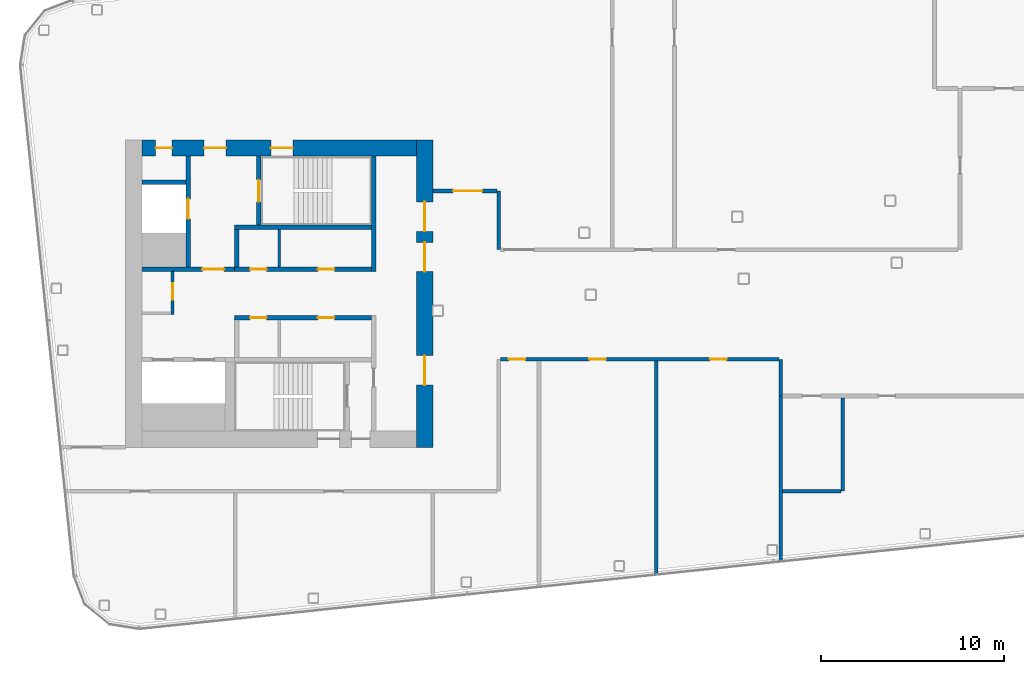
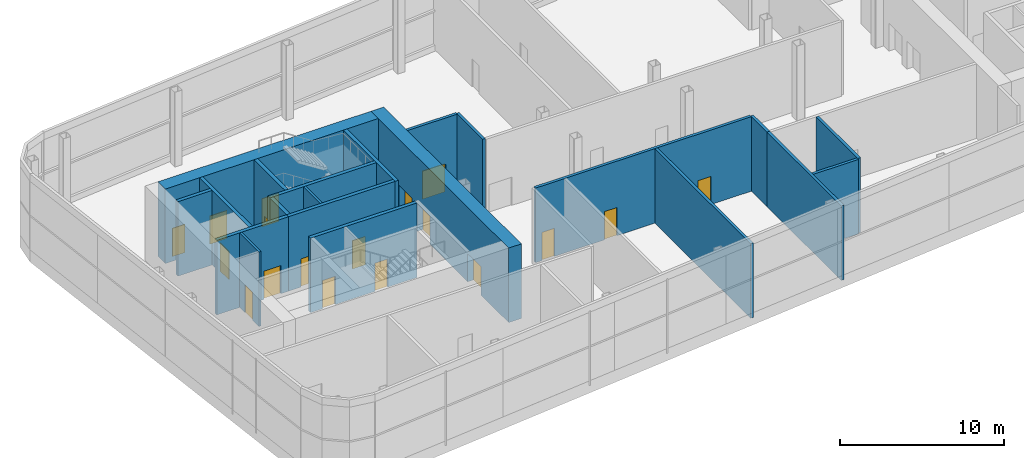
# One storey, part 15 of 35: 21 walls, 18 doors, 18 openings.
"""IFC4 building model written with IfcOpenShell, lengths in metres."""

from ifc_helpers import new_model, si_unit, direction, frame, frame_2d, origin, place, context, subcontext, project, spatial, rectangle, extrude, material, layer, layer_set, type_object, element, fill, save


model = new_model("IFC4")

# Units and contexts
model_context = context("Model", 3, precision=1e-05, world=origin(), true_north=direction((0.0, 1.0)))
body_context = subcontext(model_context, "Body", "Model", "MODEL_VIEW")
ifc_project = project(units=[si_unit("LENGTHUNIT", "METRE"), si_unit("AREAUNIT", "SQUARE_METRE"), si_unit("VOLUMEUNIT", "CUBIC_METRE"), si_unit("PLANEANGLEUNIT", "RADIAN"), si_unit("MASSUNIT", "GRAM", prefix="KILO")], contexts=[model_context])

# Site, building, storey
site_placement = place(None, origin())
site = spatial("IfcSite", under=ifc_project, at=site_placement, CompositionType="ELEMENT")
building_placement = place(site_placement, origin())
building = spatial("IfcBuilding", under=site, at=building_placement, Name="Hakoniwa Tower and Hamabe Station Hall", CompositionType="ELEMENT")
storey_placement = place(building_placement, frame((0.0, 0.0, 270.60009765625)))
storey = spatial("IfcBuildingStorey", under=building, at=storey_placement, Name="L76", CompositionType="ELEMENT", Elevation=270.60009765625)

# Wall, opening, door
ifc_material_1 = material(Name="Gypsum board partition")
ifc_layer_1 = layer(ifc_material_1, 0.14990234375)
ifc_layer_set_1 = layer_set([ifc_layer_1], Name="CORE PARTITION 150 EI 60")
wall_type_1 = type_object("IfcWallType", Name="CORE PARTITION 150 EI 60", PredefinedType="PARTITIONING", material=ifc_layer_set_1)
wall_1_placement = place(storey_placement, frame((-31.02490234375, -1.14990234375, 0.0), z_axis=(0.0, 0.0, 1.0), x_axis=(0.0, 1.0, 0.0)))
wall_1 = element("IfcWall", 1, at=wall_1_placement, inside=storey, type_object=wall_type_1, Name="Core partition PW0 west", PredefinedType="PARTITIONING", context=body_context, shape_type="SweptSolid", body=[
    extrude(rectangle(XDim=2.349853515625, YDim=0.14990234375, at=frame_2d((1.1748046875, 0.0))), origin(), (0.0, 0.0, 1.0), 5.5498046875),
])
opening_1_placement = place(wall_1_placement, frame((0.800048828125, 0.0, 0.0)))
opening_1 = element("IfcOpeningElement", 2, at=opening_1_placement, cuts=wall_1, Name="Opening CD-W-RM1-9", PredefinedType="OPENING", context=body_context, shape_type="SweptSolid", body=[
    extrude(rectangle(XDim=0.89990234375, YDim=2.10009765625, at=frame_2d((0.449951171875, 1.050048828125))), frame((0.0, 0.0849609375, 0.0), z_axis=(0.0, -1.0, 0.0), x_axis=(1.0, 0.0, 0.0)), (0.0, 0.0, 1.0), 0.169921875),
])
ifc_material_2 = material(Name="Steel fire door", Category="steel")
door_type_1 = type_object("IfcDoorType", Name="CORE DOOR 900 FD30", OperationType="NOTDEFINED", PredefinedType="DOOR", material=ifc_material_2)
door_1_placement = place(opening_1_placement, origin())
door_1 = element("IfcDoor", 3, at=door_1_placement, inside=storey, type_object=door_type_1, Name="Store room door", OperationType="SINGLE_SWING_RIGHT", OverallHeight=2.10009765625, OverallWidth=0.89990234375, PredefinedType="DOOR", context=body_context, shape_type="SweptSolid", body=[
    extrude(rectangle(XDim=0.89990234375, YDim=2.10009765625, at=frame_2d((0.449951171875, 1.050048828125))), frame((0.0, 0.02490234375, 0.0), z_axis=(0.0, -1.0, 0.0), x_axis=(1.0, 0.0, 0.0)), (0.0, 0.0, 1.0), 0.050048828125),
])
fill(opening_1, door_1)

# Wall
wall_2_placement = place(storey_placement, frame((-25.199951171875, 1.449951171875, 0.0), z_axis=(0.0, 0.0, 1.0), x_axis=(0.0, 1.0, 0.0)))
element("IfcWall", 4, at=wall_2_placement, inside=storey, type_object=wall_type_1, Name="Core partition PFLR0 west", PredefinedType="PARTITIONING", context=body_context, shape_type="SweptSolid", body=[
    extrude(rectangle(XDim=2.050048828125, YDim=0.14990234375, at=frame_2d((1.02490234375, 0.0))), origin(), (0.0, 0.0, 1.0), 5.5498046875),
])

# Wall, openings, doors
ifc_material_3 = material(Name="Concrete C60", Category="concrete")
ifc_layer_2 = layer(ifc_material_3, 0.89990234375)
ifc_layer_set_2 = layer_set([ifc_layer_2], Name="CORE WALL 900 C60")
wall_type_2 = type_object("IfcWallType", Name="CORE WALL 900 C60", PredefinedType="SHEAR", material=ifc_layer_set_2)
wall_3_placement = place(storey_placement, frame((-17.25, -8.39990234375, 0.0), z_axis=(0.0, 0.0, 1.0), x_axis=(0.0, 1.0, 0.0)))
wall_3 = element("IfcWall", 5, at=wall_3_placement, inside=storey, type_object=wall_type_2, Name="Core wall INNER west", PredefinedType="SHEAR", context=body_context, shape_type="SweptSolid", body=[
    extrude(rectangle(XDim=16.7998046875, YDim=0.89990234375, at=frame_2d((8.39990234375, 0.0))), origin(), (0.0, 0.0, 1.0), 5.5498046875),
])
opening_2_placement = place(wall_3_placement, frame((3.39990234375, 0.0, 0.0)))
opening_2 = element("IfcOpeningElement", 6, at=opening_2_placement, cuts=wall_3, Name="Opening CD-W-IN1-16", PredefinedType="OPENING", context=body_context, shape_type="SweptSolid", body=[
    extrude(rectangle(XDim=1.60009765625, YDim=2.10009765625, at=frame_2d((0.800048828125, 1.050048828125))), frame((0.0, 0.4599609375, 0.0), z_axis=(0.0, -1.0, 0.0), x_axis=(1.0, 0.0, 0.0)), (0.0, 0.0, 1.0), 0.919921875),
])
opening_3_placement = place(wall_3_placement, frame((9.60009765625, 0.0, 0.0)))
opening_3 = element("IfcOpeningElement", 7, at=opening_3_placement, cuts=wall_3, Name="Opening CD-W-IN2-16", PredefinedType="OPENING", context=body_context, shape_type="SweptSolid", body=[
    extrude(rectangle(XDim=1.60009765625, YDim=2.10009765625, at=frame_2d((0.800048828125, 1.050048828125))), frame((0.0, 0.4599609375, 0.0), z_axis=(0.0, -1.0, 0.0), x_axis=(1.0, 0.0, 0.0)), (0.0, 0.0, 1.0), 0.919921875),
])
opening_4_placement = place(wall_3_placement, frame((11.800048828125, 0.0, 0.0)))
opening_4 = element("IfcOpeningElement", 8, at=opening_4_placement, cuts=wall_3, Name="Opening CD-W-IN3-16", PredefinedType="OPENING", context=body_context, shape_type="SweptSolid", body=[
    extrude(rectangle(XDim=1.60009765625, YDim=2.10009765625, at=frame_2d((0.800048828125, 1.050048828125))), frame((0.0, 0.4599609375, 0.0), z_axis=(0.0, -1.0, 0.0), x_axis=(1.0, 0.0, 0.0)), (0.0, 0.0, 1.0), 0.919921875),
])
ifc_material_4 = material(Name="Steel fire door", Category="steel")
door_type_2 = type_object("IfcDoorType", Name="CORE DOOR 1600 FD60", OperationType="DOUBLE_DOOR_SINGLE_SWING", PredefinedType="DOOR", material=ifc_material_4)
door_2_placement = place(opening_2_placement, origin())
door_2 = element("IfcDoor", 9, at=door_2_placement, inside=storey, type_object=door_type_2, Name="Lift lobby door", OperationType="DOUBLE_DOOR_SINGLE_SWING", OverallHeight=2.10009765625, OverallWidth=1.60009765625, PredefinedType="DOOR", context=body_context, shape_type="SweptSolid", body=[
    extrude(rectangle(XDim=1.60009765625, YDim=2.10009765625, at=frame_2d((0.800048828125, 1.050048828125))), frame((0.0, 0.02490234375, 0.0), z_axis=(0.0, -1.0, 0.0), x_axis=(1.0, 0.0, 0.0)), (0.0, 0.0, 1.0), 0.050048828125),
])
fill(opening_2, door_2)
door_3_placement = place(opening_3_placement, origin())
door_3 = element("IfcDoor", 10, at=door_3_placement, inside=storey, type_object=door_type_2, Name="Lift lobby door", OperationType="DOUBLE_DOOR_SINGLE_SWING", OverallHeight=2.10009765625, OverallWidth=1.60009765625, PredefinedType="DOOR", context=body_context, shape_type="SweptSolid", body=[
    extrude(rectangle(XDim=1.60009765625, YDim=2.10009765625, at=frame_2d((0.800048828125, 1.050048828125))), frame((0.0, 0.02490234375, 0.0), z_axis=(0.0, -1.0, 0.0), x_axis=(1.0, 0.0, 0.0)), (0.0, 0.0, 1.0), 0.050048828125),
])
fill(opening_3, door_3)
door_4_placement = place(opening_4_placement, origin())
door_4 = element("IfcDoor", 11, at=door_4_placement, inside=storey, type_object=door_type_2, Name="Lift lobby door", OperationType="DOUBLE_DOOR_SINGLE_SWING", OverallHeight=2.10009765625, OverallWidth=1.60009765625, PredefinedType="DOOR", context=body_context, shape_type="SweptSolid", body=[
    extrude(rectangle(XDim=1.60009765625, YDim=2.10009765625, at=frame_2d((0.800048828125, 1.050048828125))), frame((0.0, 0.02490234375, 0.0), z_axis=(0.0, -1.0, 0.0), x_axis=(1.0, 0.0, 0.0)), (0.0, 0.0, 1.0), 0.050048828125),
])
fill(opening_4, door_4)

wall_4_placement = place(storey_placement, frame((-32.699951171875, 7.949951171875, 0.0), z_axis=(0.0, 0.0, 1.0), x_axis=(1.0, 0.0, 0.0)))
wall_4 = element("IfcWall", 12, at=wall_4_placement, inside=storey, type_object=wall_type_2, Name="Core wall NORTH west", PredefinedType="SHEAR", context=body_context, shape_type="SweptSolid", body=[
    extrude(rectangle(XDim=15.0, YDim=0.89990234375, at=frame_2d((7.5, 0.0))), origin(), (0.0, 0.0, 1.0), 5.5498046875),
])
opening_5_placement = place(wall_4_placement, frame((3.39990234375, 0.0, 0.0)))
opening_5 = element("IfcOpeningElement", 13, at=opening_5_placement, cuts=wall_4, Name="Opening CD-W-FN1-12", PredefinedType="OPENING", context=body_context, shape_type="SweptSolid", body=[
    extrude(rectangle(XDim=1.199951171875, YDim=2.10009765625, at=frame_2d((0.60009765625, 1.050048828125))), frame((0.0, 0.4599609375, 0.0), z_axis=(0.0, -1.0, 0.0), x_axis=(1.0, 0.0, 0.0)), (0.0, 0.0, 1.0), 0.919921875),
])
opening_6_placement = place(wall_4_placement, frame((0.75, 0.0, 0.0)))
opening_6 = element("IfcOpeningElement", 14, at=opening_6_placement, cuts=wall_4, Name="Opening CD-W-FN2-9", PredefinedType="OPENING", context=body_context, shape_type="SweptSolid", body=[
    extrude(rectangle(XDim=0.89990234375, YDim=2.10009765625, at=frame_2d((0.449951171875, 1.050048828125))), frame((0.0, 0.4599609375, 0.0), z_axis=(0.0, -1.0, 0.0), x_axis=(1.0, 0.0, 0.0)), (0.0, 0.0, 1.0), 0.919921875),
])
opening_7_placement = place(wall_4_placement, frame((7.050048828125, 0.0, 0.0)))
opening_7 = element("IfcOpeningElement", 15, at=opening_7_placement, cuts=wall_4, Name="Opening CD-W-FN4-12", PredefinedType="OPENING", context=body_context, shape_type="SweptSolid", body=[
    extrude(rectangle(XDim=1.199951171875, YDim=2.10009765625, at=frame_2d((0.60009765625, 1.050048828125))), frame((0.0, 0.4599609375, 0.0), z_axis=(0.0, -1.0, 0.0), x_axis=(1.0, 0.0, 0.0)), (0.0, 0.0, 1.0), 0.919921875),
])
ifc_material_5 = material(Name="Steel fire door", Category="steel")
door_type_3 = type_object("IfcDoorType", Name="CORE DOOR 1200 FD60", OperationType="DOUBLE_DOOR_SINGLE_SWING", PredefinedType="DOOR", material=ifc_material_5)
door_5_placement = place(opening_5_placement, origin())
door_5 = element("IfcDoor", 16, at=door_5_placement, inside=storey, type_object=door_type_3, Name="Stair vestibule door to the fire-fighting lobby", OperationType="DOUBLE_DOOR_SINGLE_SWING", OverallHeight=2.10009765625, OverallWidth=1.199951171875, PredefinedType="DOOR", context=body_context, shape_type="SweptSolid", body=[
    extrude(rectangle(XDim=1.199951171875, YDim=2.10009765625, at=frame_2d((0.60009765625, 1.050048828125))), frame((0.0, 0.02490234375, 0.0), z_axis=(0.0, -1.0, 0.0), x_axis=(1.0, 0.0, 0.0)), (0.0, 0.0, 1.0), 0.050048828125),
])
fill(opening_5, door_5)
door_6_placement = place(opening_7_placement, origin())
door_6 = element("IfcDoor", 17, at=door_6_placement, inside=storey, type_object=door_type_3, Name="Stair vestibule door to stair A", OperationType="DOUBLE_DOOR_SINGLE_SWING", OverallHeight=2.10009765625, OverallWidth=1.199951171875, PredefinedType="DOOR", context=body_context, shape_type="SweptSolid", body=[
    extrude(rectangle(XDim=1.199951171875, YDim=2.10009765625, at=frame_2d((0.60009765625, 1.050048828125))), frame((0.0, 0.02490234375, 0.0), z_axis=(0.0, -1.0, 0.0), x_axis=(1.0, 0.0, 0.0)), (0.0, 0.0, 1.0), 0.050048828125),
])
fill(opening_7, door_6)
door_7_placement = place(opening_6_placement, origin())
door_7 = element("IfcDoor", 18, at=door_7_placement, inside=storey, type_object=door_type_1, Name="Riser access door", OperationType="SINGLE_SWING_LEFT", OverallHeight=2.10009765625, OverallWidth=0.89990234375, PredefinedType="DOOR", context=body_context, shape_type="SweptSolid", body=[
    extrude(rectangle(XDim=0.89990234375, YDim=2.10009765625, at=frame_2d((0.449951171875, 1.050048828125))), frame((0.0, 0.02490234375, 0.0), z_axis=(0.0, -1.0, 0.0), x_axis=(1.0, 0.0, 0.0)), (0.0, 0.0, 1.0), 0.050048828125),
])
fill(opening_6, door_7)

# Wall
ifc_material_6 = material(Name="Concrete C60", Category="concrete")
ifc_layer_3 = layer(ifc_material_6, 0.25)
ifc_layer_set_3 = layer_set([ifc_layer_3], Name="CORE WEB WALL 250 C60")
wall_type_3 = type_object("IfcWallType", Name="CORE WEB WALL 250 C60", PredefinedType="SHEAR", material=ifc_layer_set_3)
wall_5_placement = place(storey_placement, frame((-20.02490234375, 1.199951171875, 0.0), z_axis=(0.0, 0.0, 1.0), x_axis=(0.0, 1.0, 0.0)))
element("IfcWall", 19, at=wall_5_placement, inside=storey, type_object=wall_type_3, Name="Core wall W1N west", PredefinedType="SHEAR", context=body_context, shape_type="SweptSolid", body=[
    extrude(rectangle(XDim=6.300048828125, YDim=0.25, at=frame_2d((3.14990234375, 0.0))), origin(), (0.0, 0.0, 1.0), 5.5498046875),
])

# Wall, openings, doors
wall_6_placement = place(storey_placement, frame((-27.64990234375, 1.324951171875, 0.0), z_axis=(0.0, 0.0, 1.0), x_axis=(1.0, 0.0, 0.0)))
wall_6 = element("IfcWall", 20, at=wall_6_placement, inside=storey, type_object=wall_type_3, Name="Core wall NF west", PredefinedType="SHEAR", context=body_context, shape_type="SweptSolid", body=[
    extrude(rectangle(XDim=7.5, YDim=0.25, at=frame_2d((3.75, 0.0))), origin(), (0.0, 0.0, 1.0), 5.5498046875),
])
opening_8_placement = place(wall_6_placement, frame((4.5625, 0.0, 0.0)))
opening_8 = element("IfcOpeningElement", 21, at=opening_8_placement, cuts=wall_6, Name="Opening CD-W-FRLR0-9", PredefinedType="OPENING", context=body_context, shape_type="SweptSolid", body=[
    extrude(rectangle(XDim=0.89990234375, YDim=2.10009765625, at=frame_2d((0.449951171875, 1.050048828125))), frame((0.0, 0.135009765625, 0.0), z_axis=(0.0, -1.0, 0.0), x_axis=(1.0, 0.0, 0.0)), (0.0, 0.0, 1.0), 0.27001953125),
])
opening_9_placement = place(wall_6_placement, frame((0.862548828125, 0.0, 0.0)))
opening_9 = element("IfcOpeningElement", 22, at=opening_9_placement, cuts=wall_6, Name="Opening CD-W-FRLR1-9", PredefinedType="OPENING", context=body_context, shape_type="SweptSolid", body=[
    extrude(rectangle(XDim=0.89990234375, YDim=2.10009765625, at=frame_2d((0.449951171875, 1.050048828125))), frame((0.0, 0.135009765625, 0.0), z_axis=(0.0, -1.0, 0.0), x_axis=(1.0, 0.0, 0.0)), (0.0, 0.0, 1.0), 0.27001953125),
])
door_8_placement = place(opening_8_placement, origin())
door_8 = element("IfcDoor", 23, at=door_8_placement, inside=storey, type_object=door_type_1, Name="Store room door", OperationType="SINGLE_SWING_RIGHT", OverallHeight=2.10009765625, OverallWidth=0.89990234375, PredefinedType="DOOR", context=body_context, shape_type="SweptSolid", body=[
    extrude(rectangle(XDim=0.89990234375, YDim=2.10009765625, at=frame_2d((0.449951171875, 1.050048828125))), frame((0.0, 0.02490234375, 0.0), z_axis=(0.0, -1.0, 0.0), x_axis=(1.0, 0.0, 0.0)), (0.0, 0.0, 1.0), 0.050048828125),
])
fill(opening_8, door_8)
door_9_placement = place(opening_9_placement, origin())
door_9 = element("IfcDoor", 24, at=door_9_placement, inside=storey, type_object=door_type_1, Name="Store room door", OperationType="SINGLE_SWING_LEFT", OverallHeight=2.10009765625, OverallWidth=0.89990234375, PredefinedType="DOOR", context=body_context, shape_type="SweptSolid", body=[
    extrude(rectangle(XDim=0.89990234375, YDim=2.10009765625, at=frame_2d((0.449951171875, 1.050048828125))), frame((0.0, 0.02490234375, 0.0), z_axis=(0.0, -1.0, 0.0), x_axis=(1.0, 0.0, 0.0)), (0.0, 0.0, 1.0), 0.050048828125),
])
fill(opening_9, door_9)

# Walls
wall_7_placement = place(storey_placement, frame((-27.52490234375, 1.449951171875, 0.0), z_axis=(0.0, 0.0, 1.0), x_axis=(0.0, 1.0, 0.0)))
element("IfcWall", 25, at=wall_7_placement, inside=storey, type_object=wall_type_3, Name="Core wall NE west", PredefinedType="SHEAR", context=body_context, shape_type="SweptSolid", body=[
    extrude(rectangle(XDim=2.050048828125, YDim=0.25, at=frame_2d((1.02490234375, 0.0))), origin(), (0.0, 0.0, 1.0), 5.5498046875),
])
wall_8_placement = place(storey_placement, frame((-27.64990234375, 3.625, 0.0), z_axis=(0.0, 0.0, 1.0), x_axis=(1.0, 0.0, 0.0)))
element("IfcWall", 26, at=wall_8_placement, inside=storey, type_object=wall_type_3, Name="Core wall NR west", PredefinedType="SHEAR", context=body_context, shape_type="SweptSolid", body=[
    extrude(rectangle(XDim=7.5, YDim=0.25, at=frame_2d((3.75, 0.0))), origin(), (0.0, 0.0, 1.0), 5.5498046875),
])

# Wall, opening, door
wall_9_placement = place(storey_placement, frame((-26.324951171875, 3.75, 0.0), z_axis=(0.0, 0.0, 1.0), x_axis=(0.0, 1.0, 0.0)))
wall_9 = element("IfcWall", 27, at=wall_9_placement, inside=storey, type_object=wall_type_3, Name="Core wall NSE west", PredefinedType="SHEAR", context=body_context, shape_type="SweptSolid", body=[
    extrude(rectangle(XDim=3.75, YDim=0.25, at=frame_2d((1.875, 0.0))), origin(), (0.0, 0.0, 1.0), 5.5498046875),
])
opening_10_placement = place(wall_9_placement, frame((1.25, 0.0, 0.0)))
opening_10 = element("IfcOpeningElement", 28, at=opening_10_placement, cuts=wall_9, Name="Opening CD-W-SN-12", PredefinedType="OPENING", context=body_context, shape_type="SweptSolid", body=[
    extrude(rectangle(XDim=1.199951171875, YDim=2.10009765625, at=frame_2d((0.60009765625, 1.050048828125))), frame((0.0, 0.135009765625, 0.0), z_axis=(0.0, -1.0, 0.0), x_axis=(1.0, 0.0, 0.0)), (0.0, 0.0, 1.0), 0.27001953125),
])
door_10_placement = place(opening_10_placement, origin())
door_10 = element("IfcDoor", 29, at=door_10_placement, inside=storey, type_object=door_type_3, Name="Escape stair door", OperationType="DOUBLE_DOOR_SINGLE_SWING", OverallHeight=2.10009765625, OverallWidth=1.199951171875, PredefinedType="DOOR", context=body_context, shape_type="SweptSolid", body=[
    extrude(rectangle(XDim=1.199951171875, YDim=2.10009765625, at=frame_2d((0.60009765625, 1.050048828125))), frame((0.0, 0.02490234375, 0.0), z_axis=(0.0, -1.0, 0.0), x_axis=(1.0, 0.0, 0.0)), (0.0, 0.0, 1.0), 0.050048828125),
])
fill(opening_10, door_10)

wall_10_placement = place(storey_placement, frame((-32.699951171875, 1.324951171875, 0.0), z_axis=(0.0, 0.0, 1.0), x_axis=(1.0, 0.0, 0.0)))
wall_10 = element("IfcWall", 30, at=wall_10_placement, inside=storey, type_object=wall_type_3, Name="Core wall ELN west", PredefinedType="SHEAR", context=body_context, shape_type="SweptSolid", body=[
    extrude(rectangle(XDim=5.050048828125, YDim=0.25, at=frame_2d((2.52490234375, 0.0))), origin(), (0.0, 0.0, 1.0), 5.5498046875),
])
opening_11_placement = place(wall_10_placement, frame((3.300048828125, 0.0, 0.0)))
opening_11 = element("IfcOpeningElement", 31, at=opening_11_placement, cuts=wall_10, Name="Opening CD-W-FL-12", PredefinedType="OPENING", context=body_context, shape_type="SweptSolid", body=[
    extrude(rectangle(XDim=1.199951171875, YDim=2.10009765625, at=frame_2d((0.60009765625, 1.050048828125))), frame((0.0, 0.135009765625, 0.0), z_axis=(0.0, -1.0, 0.0), x_axis=(1.0, 0.0, 0.0)), (0.0, 0.0, 1.0), 0.27001953125),
])
door_11_placement = place(opening_11_placement, origin())
door_11 = element("IfcDoor", 32, at=door_11_placement, inside=storey, type_object=door_type_3, Name="Stair vestibule door to the fire-fighting lobby", OperationType="DOUBLE_DOOR_SINGLE_SWING", OverallHeight=2.10009765625, OverallWidth=1.199951171875, PredefinedType="DOOR", context=body_context, shape_type="SweptSolid", body=[
    extrude(rectangle(XDim=1.199951171875, YDim=2.10009765625, at=frame_2d((0.60009765625, 1.050048828125))), frame((0.0, 0.02490234375, 0.0), z_axis=(0.0, -1.0, 0.0), x_axis=(1.0, 0.0, 0.0)), (0.0, 0.0, 1.0), 0.050048828125),
])
fill(opening_11, door_11)

wall_11_placement = place(storey_placement, frame((-30.175048828125, 1.449951171875, 0.0), z_axis=(0.0, 0.0, 1.0), x_axis=(0.0, 1.0, 0.0)))
wall_11 = element("IfcWall", 33, at=wall_11_placement, inside=storey, type_object=wall_type_3, Name="Core wall FFF west", PredefinedType="SHEAR", context=body_context, shape_type="SweptSolid", body=[
    extrude(rectangle(XDim=6.050048828125, YDim=0.25, at=frame_2d((3.02490234375, 0.0))), origin(), (0.0, 0.0, 1.0), 5.5498046875),
])
opening_12_placement = place(wall_11_placement, frame((2.625, 0.0, 0.0)))
opening_12 = element("IfcOpeningElement", 34, at=opening_12_placement, cuts=wall_11, Name="Opening LD-FF1", PredefinedType="OPENING", context=body_context, shape_type="SweptSolid", body=[
    extrude(rectangle(XDim=1.10009765625, YDim=2.10009765625, at=frame_2d((0.550048828125, 1.050048828125))), frame((0.0, 0.135009765625, 0.0), z_axis=(0.0, -1.0, 0.0), x_axis=(1.0, 0.0, 0.0)), (0.0, 0.0, 1.0), 0.27001953125),
])
ifc_material_7 = material(Name="Stainless steel SUS304", Category="steel")
door_type_4 = type_object("IfcDoorType", Name="LIFT LANDING DOOR 1100 FD60", OperationType="DOUBLE_DOOR_SLIDING", PredefinedType="DOOR", material=ifc_material_7)
door_12_placement = place(opening_12_placement, origin())
door_12 = element("IfcDoor", 35, at=door_12_placement, inside=storey, type_object=door_type_4, Name="Lift landing door FF1 L76", OperationType="DOUBLE_DOOR_SLIDING", OverallHeight=2.10009765625, OverallWidth=1.10009765625, PredefinedType="DOOR", context=body_context, shape_type="SweptSolid", body=[
    extrude(rectangle(XDim=1.10009765625, YDim=2.10009765625, at=frame_2d((0.550048828125, 1.050048828125))), frame((0.0, 0.02490234375, 0.0), z_axis=(0.0, -1.0, 0.0), x_axis=(1.0, 0.0, 0.0)), (0.0, 0.0, 1.0), 0.050048828125),
])
fill(opening_12, door_12)

# Wall
wall_12_placement = place(storey_placement, frame((-32.699951171875, 6.074951171875, 0.0), z_axis=(0.0, 0.0, 1.0), x_axis=(1.0, 0.0, 0.0)))
element("IfcWall", 36, at=wall_12_placement, inside=storey, type_object=wall_type_3, Name="Core wall C2 west", PredefinedType="SHEAR", context=body_context, shape_type="SweptSolid", body=[
    extrude(rectangle(XDim=2.39990234375, YDim=0.25, at=frame_2d((1.199951171875, 0.0))), origin(), (0.0, 0.0, 1.0), 5.5498046875),
])

# Wall, openings, doors
wall_13_placement = place(storey_placement, frame((-27.64990234375, -1.324951171875, 0.0), z_axis=(0.0, 0.0, 1.0), x_axis=(1.0, 0.0, 0.0)))
wall_13 = element("IfcWall", 37, at=wall_13_placement, inside=storey, type_object=wall_type_3, Name="Core wall SF west", PredefinedType="SHEAR", context=body_context, shape_type="SweptSolid", body=[
    extrude(rectangle(XDim=7.5, YDim=0.25, at=frame_2d((3.75, 0.0))), origin(), (0.0, 0.0, 1.0), 5.5498046875),
])
opening_13_placement = place(wall_13_placement, frame((4.5625, 0.0, 0.0)))
opening_13 = element("IfcOpeningElement", 38, at=opening_13_placement, cuts=wall_13, Name="Opening CD-W-FRHR2-9", PredefinedType="OPENING", context=body_context, shape_type="SweptSolid", body=[
    extrude(rectangle(XDim=0.89990234375, YDim=2.10009765625, at=frame_2d((0.449951171875, 1.050048828125))), frame((0.0, 0.135009765625, 0.0), z_axis=(0.0, -1.0, 0.0), x_axis=(1.0, 0.0, 0.0)), (0.0, 0.0, 1.0), 0.27001953125),
])
opening_14_placement = place(wall_13_placement, frame((0.862548828125, 0.0, 0.0)))
opening_14 = element("IfcOpeningElement", 39, at=opening_14_placement, cuts=wall_13, Name="Opening CD-W-FRHR3-9", PredefinedType="OPENING", context=body_context, shape_type="SweptSolid", body=[
    extrude(rectangle(XDim=0.89990234375, YDim=2.10009765625, at=frame_2d((0.449951171875, 1.050048828125))), frame((0.0, 0.135009765625, 0.0), z_axis=(0.0, -1.0, 0.0), x_axis=(1.0, 0.0, 0.0)), (0.0, 0.0, 1.0), 0.27001953125),
])
door_13_placement = place(opening_13_placement, origin())
door_13 = element("IfcDoor", 40, at=door_13_placement, inside=storey, type_object=door_type_1, Name="Store room door", OperationType="SINGLE_SWING_RIGHT", OverallHeight=2.10009765625, OverallWidth=0.89990234375, PredefinedType="DOOR", context=body_context, shape_type="SweptSolid", body=[
    extrude(rectangle(XDim=0.89990234375, YDim=2.10009765625, at=frame_2d((0.449951171875, 1.050048828125))), frame((0.0, 0.02490234375, 0.0), z_axis=(0.0, -1.0, 0.0), x_axis=(1.0, 0.0, 0.0)), (0.0, 0.0, 1.0), 0.050048828125),
])
fill(opening_13, door_13)
door_14_placement = place(opening_14_placement, origin())
door_14 = element("IfcDoor", 41, at=door_14_placement, inside=storey, type_object=door_type_1, Name="Store room door", OperationType="SINGLE_SWING_RIGHT", OverallHeight=2.10009765625, OverallWidth=0.89990234375, PredefinedType="DOOR", context=body_context, shape_type="SweptSolid", body=[
    extrude(rectangle(XDim=0.89990234375, YDim=2.10009765625, at=frame_2d((0.449951171875, 1.050048828125))), frame((0.0, 0.02490234375, 0.0), z_axis=(0.0, -1.0, 0.0), x_axis=(1.0, 0.0, 0.0)), (0.0, 0.0, 1.0), 0.050048828125),
])
fill(opening_14, door_14)

ifc_material_8 = material(Name="Fire-rated gypsum board partition", Category="gypsum")
ifc_layer_4 = layer(ifc_material_8, 0.199951171875)
ifc_layer_set_4 = layer_set([ifc_layer_4], Name="Corridor Wall 200")
wall_type_4 = type_object("IfcWallType", Name="Corridor Wall 200", PredefinedType="PARTITIONING", material=ifc_layer_set_4)
wall_14_placement = place(storey_placement, frame((-13.10009765625, -3.60009765625, 0.0), z_axis=(0.0, 0.0, 1.0), x_axis=(1.0, 0.0, 0.0)))
wall_14 = element("IfcWall", 42, at=wall_14_placement, inside=storey, type_object=wall_type_4, Name="GW-L76-005", PredefinedType="PARTITIONING", context=body_context, shape_type="SweptSolid", body=[
    extrude(rectangle(XDim=15.2001953125, YDim=0.199951171875, at=frame_2d((7.60009765625, 0.0))), origin(), (0.0, 0.0, 1.0), 5.5498046875),
])
opening_15_placement = place(wall_14_placement, frame((0.449951171875, 0.0, 0.0)))
opening_15 = element("IfcOpeningElement", 43, at=opening_15_placement, cuts=wall_14, Name="Opening GD-SL76-06", PredefinedType="OPENING", context=body_context, shape_type="SweptSolid", body=[
    extrude(rectangle(XDim=0.89990234375, YDim=2.10009765625, at=frame_2d((0.449951171875, 1.050048828125))), frame((0.0, 0.10986328125, 0.0), z_axis=(0.0, -1.0, 0.0), x_axis=(1.0, 0.0, 0.0)), (0.0, 0.0, 1.0), 0.219970703125),
])
opening_16_placement = place(wall_14_placement, frame((4.85009765625, 0.0, 0.0)))
opening_16 = element("IfcOpeningElement", 44, at=opening_16_placement, cuts=wall_14, Name="Opening GD-SL76-07", PredefinedType="OPENING", context=body_context, shape_type="SweptSolid", body=[
    extrude(rectangle(XDim=0.89990234375, YDim=2.10009765625, at=frame_2d((0.449951171875, 1.050048828125))), frame((0.0, 0.10986328125, 0.0), z_axis=(0.0, -1.0, 0.0), x_axis=(1.0, 0.0, 0.0)), (0.0, 0.0, 1.0), 0.219970703125),
])
opening_17_placement = place(wall_14_placement, frame((11.449951171875, 0.0, 0.0)))
opening_17 = element("IfcOpeningElement", 45, at=opening_17_placement, cuts=wall_14, Name="Opening GD-SL76-08", PredefinedType="OPENING", context=body_context, shape_type="SweptSolid", body=[
    extrude(rectangle(XDim=0.89990234375, YDim=2.10009765625, at=frame_2d((0.449951171875, 1.050048828125))), frame((0.0, 0.10986328125, 0.0), z_axis=(0.0, -1.0, 0.0), x_axis=(1.0, 0.0, 0.0)), (0.0, 0.0, 1.0), 0.219970703125),
])
ifc_material_9 = material(Name="Timber door leaf", Category="wood")
door_type_5 = type_object("IfcDoorType", Name="Service Door 900", OperationType="SINGLE_SWING_LEFT", PredefinedType="DOOR", material=ifc_material_9)
door_15_placement = place(opening_15_placement, origin())
door_15 = element("IfcDoor", 46, at=door_15_placement, inside=storey, type_object=door_type_5, Name="Door GD-SL76-06", OperationType="SINGLE_SWING_LEFT", OverallHeight=2.10009765625, OverallWidth=0.89990234375, PredefinedType="DOOR", context=body_context, shape_type="SweptSolid", body=[
    extrude(rectangle(XDim=0.89990234375, YDim=2.10009765625, at=frame_2d((0.449951171875, 1.050048828125))), frame((0.0, 0.02490234375, 0.0), z_axis=(0.0, -1.0, 0.0), x_axis=(1.0, 0.0, 0.0)), (0.0, 0.0, 1.0), 0.050048828125),
])
fill(opening_15, door_15)
door_16_placement = place(opening_16_placement, origin())
door_16 = element("IfcDoor", 47, at=door_16_placement, inside=storey, type_object=door_type_5, Name="Door GD-SL76-07", OperationType="SINGLE_SWING_LEFT", OverallHeight=2.10009765625, OverallWidth=0.89990234375, PredefinedType="DOOR", context=body_context, shape_type="SweptSolid", body=[
    extrude(rectangle(XDim=0.89990234375, YDim=2.10009765625, at=frame_2d((0.449951171875, 1.050048828125))), frame((0.0, 0.02490234375, 0.0), z_axis=(0.0, -1.0, 0.0), x_axis=(1.0, 0.0, 0.0)), (0.0, 0.0, 1.0), 0.050048828125),
])
fill(opening_16, door_16)
door_17_placement = place(opening_17_placement, origin())
door_17 = element("IfcDoor", 48, at=door_17_placement, inside=storey, type_object=door_type_5, Name="Door GD-SL76-08", OperationType="SINGLE_SWING_RIGHT", OverallHeight=2.10009765625, OverallWidth=0.89990234375, PredefinedType="DOOR", context=body_context, shape_type="SweptSolid", body=[
    extrude(rectangle(XDim=0.89990234375, YDim=2.10009765625, at=frame_2d((0.449951171875, 1.050048828125))), frame((0.0, 0.02490234375, 0.0), z_axis=(0.0, -1.0, 0.0), x_axis=(1.0, 0.0, 0.0)), (0.0, 0.0, 1.0), 0.050048828125),
])
fill(opening_17, door_17)

# Wall, opening, door
wall_15_placement = place(storey_placement, frame((-16.800048828125, 5.60009765625, 0.0), z_axis=(0.0, 0.0, 1.0), x_axis=(1.0, 0.0, 0.0)))
wall_15 = element("IfcWall", 49, at=wall_15_placement, inside=storey, type_object=wall_type_4, Name="GW-L76-007", PredefinedType="PARTITIONING", context=body_context, shape_type="SweptSolid", body=[
    extrude(rectangle(XDim=3.5, YDim=0.199951171875, at=frame_2d((1.75, 0.0))), origin(), (0.0, 0.0, 1.0), 5.5498046875),
])
opening_18_placement = place(wall_15_placement, frame((1.10009765625, 0.0, 0.0)))
opening_18 = element("IfcOpeningElement", 50, at=opening_18_placement, cuts=wall_15, Name="Opening GD-SL76-12", PredefinedType="OPENING", context=body_context, shape_type="SweptSolid", body=[
    extrude(rectangle(XDim=1.60009765625, YDim=2.10009765625, at=frame_2d((0.800048828125, 1.050048828125))), frame((0.0, 0.10986328125, 0.0), z_axis=(0.0, -1.0, 0.0), x_axis=(1.0, 0.0, 0.0)), (0.0, 0.0, 1.0), 0.219970703125),
])
ifc_material_10 = material(Name="Timber door leaf", Category="wood")
door_type_6 = type_object("IfcDoorType", Name="Double Door 1600", OperationType="DOUBLE_DOOR_SINGLE_SWING", PredefinedType="DOOR", material=ifc_material_10)
door_18_placement = place(opening_18_placement, origin())
door_18 = element("IfcDoor", 51, at=door_18_placement, inside=storey, type_object=door_type_6, Name="Door GD-SL76-12", OperationType="DOUBLE_DOOR_SINGLE_SWING", OverallHeight=2.10009765625, OverallWidth=1.60009765625, PredefinedType="DOOR", context=body_context, shape_type="SweptSolid", body=[
    extrude(rectangle(XDim=1.60009765625, YDim=2.10009765625, at=frame_2d((0.800048828125, 1.050048828125))), frame((0.0, 0.02490234375, 0.0), z_axis=(0.0, -1.0, 0.0), x_axis=(1.0, 0.0, 0.0)), (0.0, 0.0, 1.0), 0.050048828125),
])
fill(opening_18, door_18)

# Walls
wall_16_placement = place(storey_placement, frame((-13.199951171875, 2.39990234375, 0.0), z_axis=(0.0, 0.0, 1.0), x_axis=(0.0, 1.0, 0.0)))
element("IfcWall", 52, at=wall_16_placement, inside=storey, type_object=wall_type_4, Name="GW-L76-013", PredefinedType="PARTITIONING", context=body_context, shape_type="SweptSolid", body=[
    extrude(rectangle(XDim=3.2001953125, YDim=0.199951171875, at=frame_2d((1.60009765625, 0.0))), origin(), (0.0, 0.0, 1.0), 5.5498046875),
])
wall_17_placement = place(storey_placement, frame((2.199951171875, -5.60009765625, 0.0), z_axis=(0.0, 0.0, 1.0), x_axis=(0.0, 1.0, 0.0)))
element("IfcWall", 53, at=wall_17_placement, inside=storey, type_object=wall_type_4, Name="GW-L76-019", PredefinedType="PARTITIONING", context=body_context, shape_type="SweptSolid", body=[
    extrude(rectangle(XDim=2.0, YDim=0.199951171875, at=frame_2d((1.0, 0.0))), origin(), (0.0, 0.0, 1.0), 5.5498046875),
])
ifc_material_11 = material(Name="Fire-rated gypsum board partition", Category="gypsum")
ifc_layer_5 = layer(ifc_material_11, 0.199951171875)
ifc_layer_set_5 = layer_set([ifc_layer_5], Name="Party Wall 200")
wall_type_5 = type_object("IfcWallType", Name="Party Wall 200", PredefinedType="PARTITIONING", material=ifc_layer_set_5)
wall_18_placement = place(storey_placement, frame((2.300048828125, -10.800048828125, 0.0), z_axis=(0.0, 0.0, 1.0), x_axis=(1.0, 0.0, 0.0)))
element("IfcWall", 54, at=wall_18_placement, inside=storey, type_object=wall_type_5, Name="GW-L76-002", PredefinedType="PARTITIONING", context=body_context, shape_type="SweptSolid", body=[
    extrude(rectangle(XDim=3.199951171875, YDim=0.199951171875, at=frame_2d((1.60009765625, 0.0))), origin(), (0.0, 0.0, 1.0), 5.5498046875),
])
wall_19_placement = place(storey_placement, frame((-4.60009765625, -15.37890625, 0.0), z_axis=(0.0, 0.0, 1.0), x_axis=(0.0, 1.0, 0.0)))
element("IfcWall", 55, at=wall_19_placement, inside=storey, type_object=wall_type_5, Name="GW-L76-016", PredefinedType="PARTITIONING", context=body_context, shape_type="SweptSolid", body=[
    extrude(rectangle(XDim=11.678955078125, YDim=0.199951171875, at=frame_2d((5.83935546875, 0.0))), origin(), (0.0, 0.0, 1.0), 5.5498046875),
])
wall_20_placement = place(storey_placement, frame((2.199951171875, -14.6640625, 0.0), z_axis=(0.0, 0.0, 1.0), x_axis=(0.0, 1.0, 0.0)))
element("IfcWall", 56, at=wall_20_placement, inside=storey, type_object=wall_type_5, Name="GW-L76-018", PredefinedType="PARTITIONING", context=body_context, shape_type="SweptSolid", body=[
    extrude(rectangle(XDim=9.06396484375, YDim=0.199951171875, at=frame_2d((4.531982421875, 0.0))), origin(), (0.0, 0.0, 1.0), 5.5498046875),
])
wall_21_placement = place(storey_placement, frame((5.60009765625, -10.800048828125, 0.0), z_axis=(0.0, 0.0, 1.0), x_axis=(0.0, 1.0, 0.0)))
element("IfcWall", 57, at=wall_21_placement, inside=storey, type_object=wall_type_5, Name="GW-L76-020", PredefinedType="PARTITIONING", context=body_context, shape_type="SweptSolid", body=[
    extrude(rectangle(XDim=5.10009765625, YDim=0.199951171875, at=frame_2d((2.550048828125, 0.0))), origin(), (0.0, 0.0, 1.0), 5.5498046875),
])

save(model, "model.ifc")
